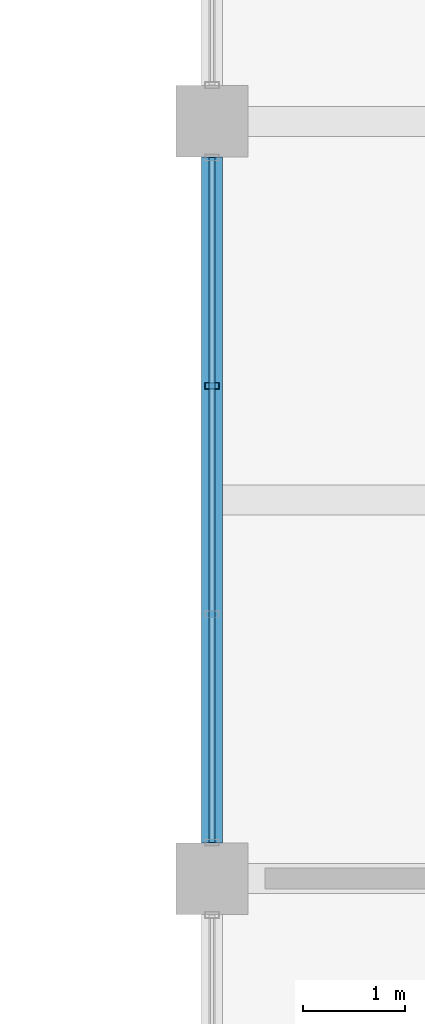
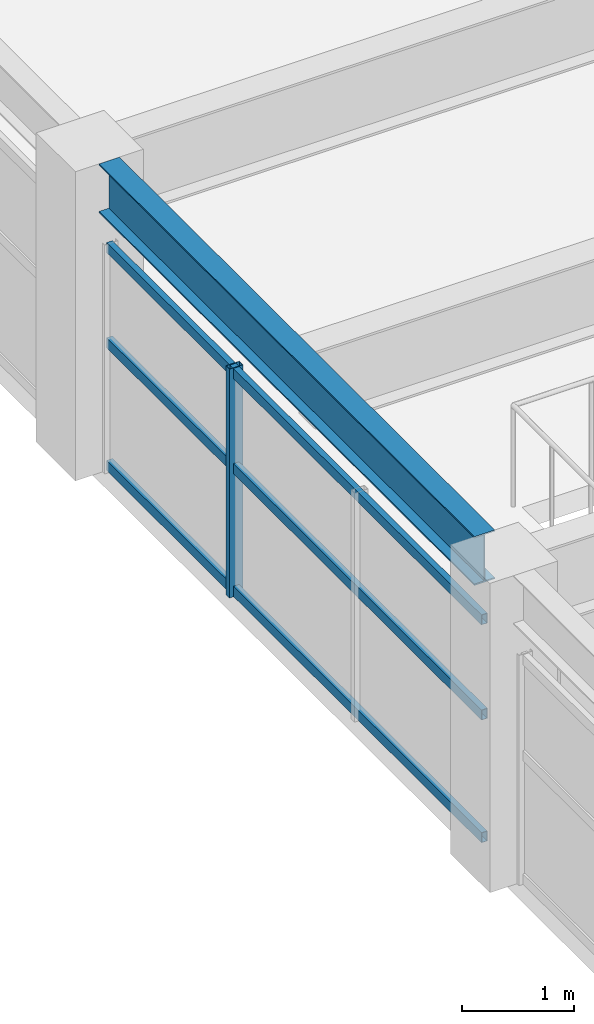
# One storey, part 59 of 121: 4 members, 1 beam, 1 element without a shape of its own.
"""IFC4 building model written with IfcOpenShell, lengths in metres."""

from ifc_helpers import new_model, si_unit, direction, frame, origin, origin_2d, place, context, subcontext, project, spatial, hollow_rectangle, i_section, extrude, material, material_profile, profile_set, type_object, element, aggregate, save


model = new_model("IFC4")

# Units and contexts
model_context = context("Model", 3, precision=1e-05, world=origin(), true_north=direction((0.0, 1.0)))
body_context = subcontext(model_context, "Body", "Model", "MODEL_VIEW")
ifc_project = project(units=[si_unit("LENGTHUNIT", "METRE"), si_unit("AREAUNIT", "SQUARE_METRE"), si_unit("VOLUMEUNIT", "CUBIC_METRE"), si_unit("PLANEANGLEUNIT", "RADIAN"), si_unit("MASSUNIT", "GRAM", prefix="KILO")], contexts=[model_context])

# Site, building, storey
site_placement = place(None, origin())
site = spatial("IfcSite", under=ifc_project, at=site_placement, CompositionType="ELEMENT")
building_placement = place(site_placement, origin())
building = spatial("IfcBuilding", under=site, at=building_placement, Name="Cimatlan Art Gallery", CompositionType="ELEMENT")
storey_placement = place(building_placement, frame((0.0, 0.0, 10.199951171875)))
storey = spatial("IfcBuildingStorey", under=building, at=storey_placement, Name="L02", CompositionType="ELEMENT", Elevation=10.199951171875)

# Beam
ifc_material_1 = material(Name="Steel ASTM A992 Grade 50", Category="steel")
ifc_material_profile_1 = material_profile(ifc_material_1, i_section(OverallWidth=0.2099609375, OverallDepth=0.532958984375, WebThickness=0.01025390625, FlangeThickness=0.015625, at=origin_2d()), Name="W21X62")
ifc_profile_set_1 = profile_set([ifc_material_profile_1], Name="Steel ASTM A992 Grade 50")
beam_type = type_object("IfcBeamType", Name="BM-STL-W21X62", PredefinedType="BEAM", material=ifc_profile_set_1)
beam_placement = place(storey_placement, frame((74.89990234375, 76.050048828125, 3.103515625), z_axis=(0.0, 1.0, 0.0), x_axis=(-1.0, 0.0, 0.0)))
element("IfcBeam", 1, at=beam_placement, inside=storey, type_object=beam_type, Name="BM-Y-L02-09-10", PredefinedType="BEAM", context=body_context, shape_type="SweptSolid", body=[
    extrude(i_section(OverallWidth=0.2099609375, OverallDepth=0.532958984375, WebThickness=0.01025390625, FlangeThickness=0.015625, at=origin_2d()), origin(), (0.0, 0.0, 1.0), 6.699951171875),
])

# Curtain wall, members
ifc_material_2 = material(Name="Anodised bronze unitised curtain wall")
curtain_wall_type = type_object("IfcCurtainWallType", Name="CW-V-06692X02494-B3", PredefinedType="NOTDEFINED", material=ifc_material_2)
curtain_wall_placement = place(storey_placement, origin())
curtain_wall = element("IfcCurtainWall", 2, at=curtain_wall_placement, inside=storey, type_object=curtain_wall_type, Name="CW-L02-09-10-W", PredefinedType="NOTDEFINED")
ifc_material_3 = material(Name="Anodised bronze aluminium 6063-T6", Category="aluminium")
ifc_material_profile_2 = material_profile(ifc_material_3, hollow_rectangle(XDim=0.06494140625, YDim=0.139892578125, WallThickness=0.00390625, at=origin_2d()), Name="ALU65X140X4")
ifc_profile_set_2 = profile_set([ifc_material_profile_2], Name="Anodised bronze aluminium 6063-T6")
member_type_1 = type_object("IfcMemberType", Name="CW-MUL-140", PredefinedType="MULLION", material=ifc_profile_set_2)
member_1_placement = place(storey_placement, frame((74.89990234375, 80.515380859375, 0.0), z_axis=(0.0, 0.0, 1.0), x_axis=(0.0, 1.0, 0.0)))
member_1 = element("IfcMember", 3, at=member_1_placement, type_object=member_type_1, Name="CW-L02-09-10-W-M3", PredefinedType="MULLION", context=body_context, shape_type="SweptSolid", body=[
    extrude(hollow_rectangle(XDim=0.06494140625, YDim=0.139892578125, WallThickness=0.00390625, at=origin_2d()), origin(), (0.0, 0.0, 1.0), 2.494140625),
])
ifc_material_profile_3 = material_profile(ifc_material_3, hollow_rectangle(XDim=0.06005859375, YDim=0.110107421875, WallThickness=0.00341796875, at=origin_2d()), Name="ALU60X110X3")
ifc_profile_set_3 = profile_set([ifc_material_profile_3], Name="Anodised bronze aluminium 6063-T6")
member_type_2 = type_object("IfcMemberType", Name="CW-TRN-110", PredefinedType="USERDEFINED", material=ifc_profile_set_3)
member_2_placement = place(storey_placement, frame((74.89990234375, 76.053955078125, 0.06005859375), z_axis=(0.0, 1.0, 0.0), x_axis=(-1.0, 0.0, 0.0)))
member_2 = element("IfcMember", 4, at=member_2_placement, type_object=member_type_2, Name="CW-L02-09-10-W-T1", ObjectType="TRANSOM", PredefinedType="USERDEFINED", context=body_context, shape_type="SweptSolid", body=[
    extrude(hollow_rectangle(XDim=0.06005859375, YDim=0.110107421875, WallThickness=0.00341796875, at=origin_2d()), origin(), (0.0, 0.0, 1.0), 6.692138671875),
])
member_3_placement = place(storey_placement, frame((74.89990234375, 76.053955078125, 1.396728515625), z_axis=(0.0, 1.0, 0.0), x_axis=(-1.0, 0.0, 0.0)))
member_3 = element("IfcMember", 5, at=member_3_placement, type_object=member_type_2, Name="CW-L02-09-10-W-T2", ObjectType="TRANSOM", PredefinedType="USERDEFINED", context=body_context, shape_type="SweptSolid", body=[
    extrude(hollow_rectangle(XDim=0.06005859375, YDim=0.110107421875, WallThickness=0.00341796875, at=origin_2d()), origin(), (0.0, 0.0, 1.0), 6.692138671875),
])
member_4_placement = place(storey_placement, frame((74.89990234375, 76.053955078125, 2.43408203125), z_axis=(0.0, 1.0, 0.0), x_axis=(-1.0, 0.0, 0.0)))
member_4 = element("IfcMember", 6, at=member_4_placement, type_object=member_type_2, Name="CW-L02-09-10-W-T3", ObjectType="TRANSOM", PredefinedType="USERDEFINED", context=body_context, shape_type="SweptSolid", body=[
    extrude(hollow_rectangle(XDim=0.06005859375, YDim=0.110107421875, WallThickness=0.00341796875, at=origin_2d()), origin(), (0.0, 0.0, 1.0), 6.692138671875),
])
aggregate(curtain_wall, [member_1, member_2, member_3, member_4])

save(model, "model.ifc")
